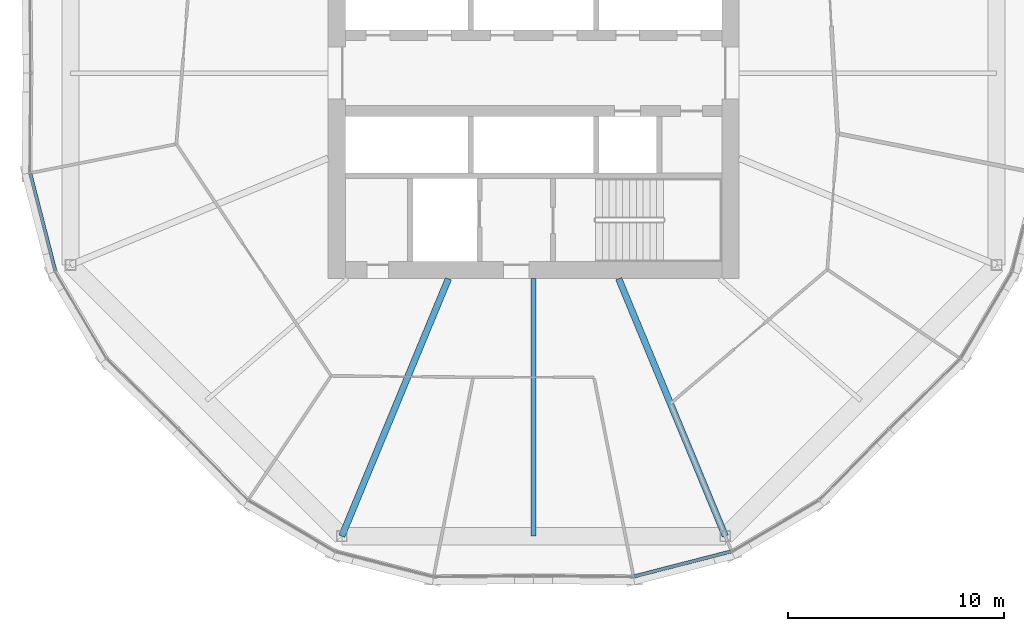
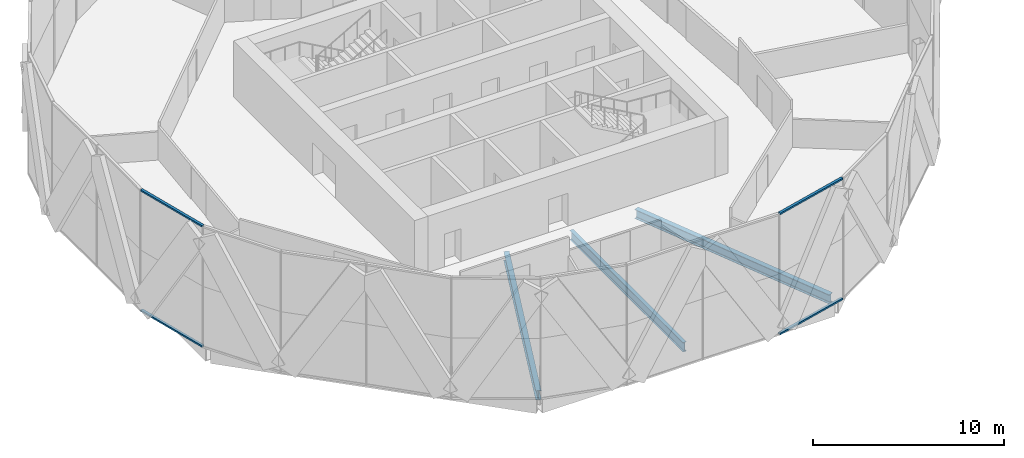
# One storey, part 4 of 31: 4 members, 3 beams, 2 elements without a shape of their own.
"""IFC4 building model written with IfcOpenShell, lengths in metres."""

from ifc_helpers import new_model, si_unit, direction, frame, origin, origin_2d, place, context, subcontext, project, spatial, rectangle, i_section, extrude, material, material_profile, profile_set, type_object, element, aggregate, save


model = new_model("IFC4")

# Units and contexts
model_context = context("Model", 3, precision=1e-05, world=origin(), true_north=direction((0.0, 1.0)))
body_context = subcontext(model_context, "Body", "Model", "MODEL_VIEW")
ifc_project = project(units=[si_unit("LENGTHUNIT", "METRE"), si_unit("AREAUNIT", "SQUARE_METRE"), si_unit("VOLUMEUNIT", "CUBIC_METRE"), si_unit("PLANEANGLEUNIT", "RADIAN"), si_unit("MASSUNIT", "GRAM", prefix="KILO")], contexts=[model_context])

# Site, building, storey
site_placement = place(None, origin())
site = spatial("IfcSite", under=ifc_project, at=site_placement, CompositionType="ELEMENT")
building_placement = place(site_placement, origin())
building = spatial("IfcBuilding", under=site, at=building_placement, Name="Ogive Gate Towers", CompositionType="ELEMENT")
storey_placement = place(building_placement, frame((0.0, 0.0, 107.39990234375)))
storey = spatial("IfcBuildingStorey", under=building, at=storey_placement, Name="L25", CompositionType="ELEMENT", Elevation=107.39990234375)

# Beams
ifc_material_1 = material(Name="Steel SM355", Category="steel")
ifc_material_profile_1 = material_profile(ifc_material_1, i_section(OverallWidth=0.300048828125, OverallDepth=0.590087890625, WebThickness=0.012939453125, FlangeThickness=0.02490234375, FilletRadius=0.027099609375, at=origin_2d()), Name="HE 600 A")
ifc_profile_set_1 = profile_set([ifc_material_profile_1], Name="Steel SM355")
beam_type_1 = type_object("IfcBeamType", Name="Radial floor beam HE 600 A", PredefinedType="BEAM", material=ifc_profile_set_1)
for number, where, z_axis, x_axis, name in (
    (1, (-39.93505859375, -9.5, -0.594970703125), (-0.382689470177, -0.923877031545, 0.0), (0.923877031545, -0.382689470177, 0.0), "T1/L25/SBM003"),
    (2, (-32.06494140625, -9.5, -0.594970703125), (0.382689470177, -0.923877031545, 0.0), (0.923877031545, 0.382689470177, 0.0), "T1/L25/SBM005"),
):
    element("IfcBeam", number, at=place(storey_placement, frame(where, z_axis=z_axis, x_axis=x_axis)), inside=storey, type_object=beam_type_1, Name=name, PredefinedType="BEAM", context=body_context, shape_type="SweptSolid", body=[
        extrude(i_section(OverallWidth=0.300048828125, OverallDepth=0.590087890625, WebThickness=0.012939453125, FlangeThickness=0.02490234375, FilletRadius=0.027099609375, at=origin_2d()), origin(), (0.0, 0.0, 1.0), 12.877197265625),
    ])
ifc_material_profile_2 = material_profile(ifc_material_1, i_section(OverallWidth=0.219970703125, OverallDepth=0.60009765625, WebThickness=0.011962890625, FlangeThickness=0.01904296875, FilletRadius=0.02392578125, at=origin_2d()), Name="IPE 600")
ifc_profile_set_2 = profile_set([ifc_material_profile_2], Name="Steel SM355")
beam_type_2 = type_object("IfcBeamType", Name="Radial floor beam IPE 600", PredefinedType="BEAM", material=ifc_profile_set_2)
beam_placement = place(storey_placement, frame((-36.0, -9.5, -0.599853515625), z_axis=(0.0, -1.0, 0.0), x_axis=(1.0, 0.0, 0.0)))
element("IfcBeam", 3, at=beam_placement, inside=storey, type_object=beam_type_2, Name="T1/L25/SBM004", PredefinedType="BEAM", context=body_context, shape_type="SweptSolid", body=[
    extrude(i_section(OverallWidth=0.219970703125, OverallDepth=0.60009765625, WebThickness=0.011962890625, FlangeThickness=0.01904296875, FilletRadius=0.02392578125, at=origin_2d()), origin(), (0.0, 0.0, 1.0), 11.89697265625),
])

# Curtain wall, members
ifc_material_2 = material(Name="Pale metal aluminium", Category="aluminium")
curtain_wall_type = type_object("IfcCurtainWallType", Name="Tower unitised wall, low zone", PredefinedType="NOTDEFINED", material=ifc_material_2)
curtain_wall_1_placement = place(storey_placement, origin())
curtain_wall_1 = element("IfcCurtainWall", 4, at=curtain_wall_1_placement, inside=storey, type_object=curtain_wall_type, Name="CW1 T1 ECW05", PredefinedType="NOTDEFINED")
ifc_material_profile_3 = material_profile(ifc_material_2, rectangle(XDim=0.159912109375, YDim=0.10009765625, at=origin_2d()), Name="100 x 160 aluminium box")
ifc_profile_set_3 = profile_set([ifc_material_profile_3], Name="Pale metal aluminium")
member_type = type_object("IfcMemberType", Name="Tower unitised wall, low zone transom 100 x 160", PredefinedType="USERDEFINED", material=ifc_profile_set_3)
member_1_placement = place(storey_placement, frame((-59.259033203125, -4.648193359375, 7.4501953125), z_axis=(0.24913722869, -0.968468193221, 0.0), x_axis=(0.968468193221, 0.24913722869, 0.0)))
member_1 = element("IfcMember", 5, at=member_1_placement, type_object=member_type, Name="CW1 transom", ObjectType="TRANSOM", PredefinedType="USERDEFINED", context=body_context, shape_type="SweptSolid", body=[
    extrude(rectangle(XDim=0.159912109375, YDim=0.10009765625, at=origin_2d()), origin(), (0.0, 0.0, 1.0), 4.625244140625),
])
member_2_placement = place(storey_placement, frame((-59.259033203125, -4.648193359375, -0.25), z_axis=(0.24913722869, -0.968468193221, 0.0), x_axis=(0.968468193221, 0.24913722869, 0.0)))
member_2 = element("IfcMember", 6, at=member_2_placement, type_object=member_type, Name="CW1 transom", ObjectType="TRANSOM", PredefinedType="USERDEFINED", context=body_context, shape_type="SweptSolid", body=[
    extrude(rectangle(XDim=0.159912109375, YDim=0.10009765625, at=origin_2d()), origin(), (0.0, 0.0, 1.0), 4.625244140625),
])
aggregate(curtain_wall_1, [member_1, member_2])

curtain_wall_2_placement = place(storey_placement, origin())
curtain_wall_2 = element("IfcCurtainWall", 7, at=curtain_wall_2_placement, inside=storey, type_object=curtain_wall_type, Name="CW1 T1 ECW07", PredefinedType="NOTDEFINED")
member_3_placement = place(storey_placement, frame((-31.351806640625, -23.259033203125, 7.4501953125), z_axis=(0.968468193221, 0.24913722869, 0.0), x_axis=(-0.24913722869, 0.968468193221, 0.0)))
member_3 = element("IfcMember", 8, at=member_3_placement, type_object=member_type, Name="CW1 transom", ObjectType="TRANSOM", PredefinedType="USERDEFINED", context=body_context, shape_type="SweptSolid", body=[
    extrude(rectangle(XDim=0.159912109375, YDim=0.10009765625, at=origin_2d()), origin(), (0.0, 0.0, 1.0), 4.625244140625),
])
member_4_placement = place(storey_placement, frame((-31.351806640625, -23.259033203125, -0.25), z_axis=(0.968468193221, 0.24913722869, 0.0), x_axis=(-0.24913722869, 0.968468193221, 0.0)))
member_4 = element("IfcMember", 9, at=member_4_placement, type_object=member_type, Name="CW1 transom", ObjectType="TRANSOM", PredefinedType="USERDEFINED", context=body_context, shape_type="SweptSolid", body=[
    extrude(rectangle(XDim=0.159912109375, YDim=0.10009765625, at=origin_2d()), origin(), (0.0, 0.0, 1.0), 4.625244140625),
])
aggregate(curtain_wall_2, [member_3, member_4])

save(model, "model.ifc")
